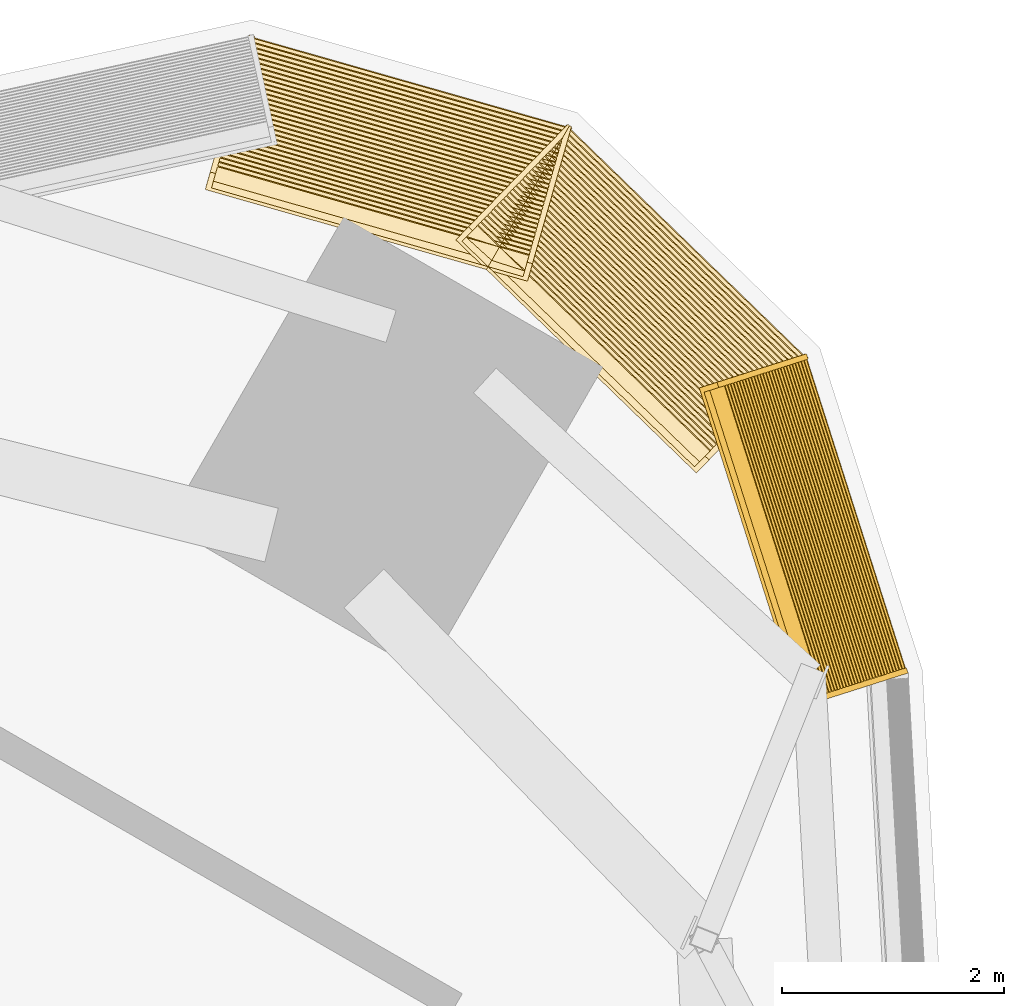
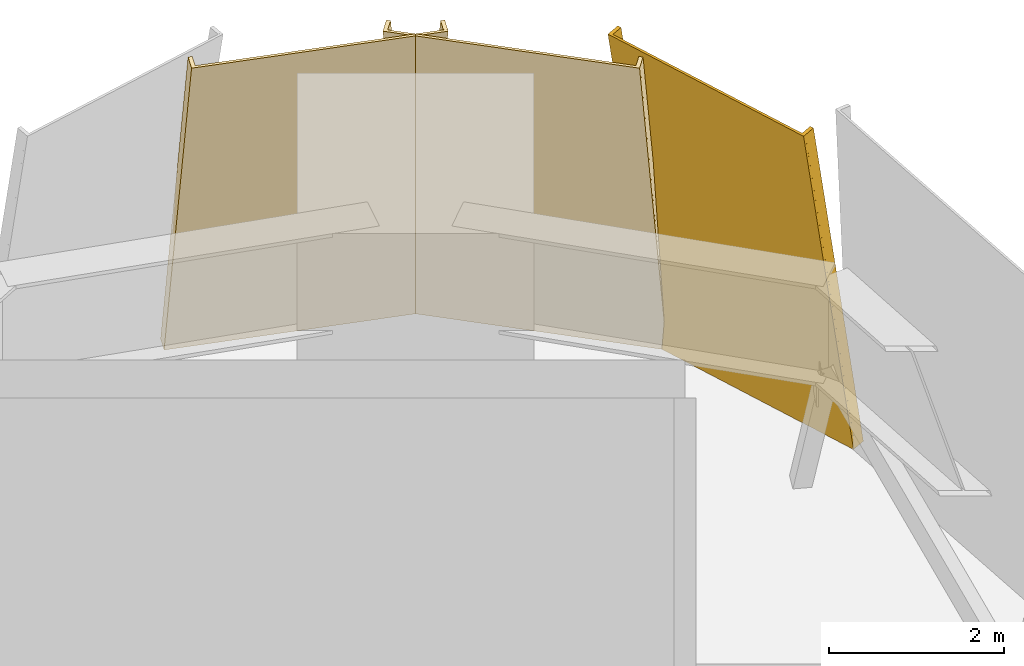
# One storey, part 18 of 18: 3 coverings.
"""IFC4 building model written with IfcOpenShell, lengths in metres."""

from ifc_helpers import new_model, si_unit, direction, frame, frame_2d, origin, place, context, subcontext, project, spatial, rectangle, extrude, source, transform, mapped, material, type_object, element, save


model = new_model("IFC4")

# Units and contexts
model_context = context("Model", 3, precision=1e-05, world=origin(), true_north=direction((0.0, 1.0)))
body_context = subcontext(model_context, "Body", "Model", "MODEL_VIEW")
ifc_project = project(units=[si_unit("LENGTHUNIT", "METRE"), si_unit("AREAUNIT", "SQUARE_METRE"), si_unit("VOLUMEUNIT", "CUBIC_METRE"), si_unit("PLANEANGLEUNIT", "RADIAN"), si_unit("MASSUNIT", "GRAM", prefix="KILO")], contexts=[model_context])

# Site, building, storey
site_placement = place(None, origin())
site = spatial("IfcSite", under=ifc_project, at=site_placement, CompositionType="ELEMENT")
building_placement = place(site_placement, origin())
building = spatial("IfcBuilding", under=site, at=building_placement, Name="Tamra Quay Hotel Tower", CompositionType="ELEMENT")
storey_placement = place(building_placement, frame((0.0, 0.0, 211.60009765625)))
storey = spatial("IfcBuildingStorey", under=building, at=storey_placement, Name="L53", CompositionType="ELEMENT", Elevation=211.60009765625)

# Coverings
ifc_material = material(Name="Terracotta louvre panel", Category="masonry")
covering_type_1 = type_object("IfcCoveringType", Name="PLANT LOUVRE H4874", PredefinedType="USERDEFINED", material=ifc_material)
shared_shape_1 = source(origin(), body_context, "Body", "SweptSolid", [
    extrude(rectangle(XDim=3.02001953125, YDim=0.030029296875, at=frame_2d((1.510009765625, 0.01513671875))), frame((-1.510009765625, -0.030029296875, 0.0)), (0.0, 0.0, 1.0), 4.8740234375),
    extrude(rectangle(XDim=0.050048828125, YDim=0.139892578125, at=frame_2d((0.02490234375, 0.06982421875))), frame((-1.510009765625, -0.169921875, 0.0)), (0.0, 0.0, 1.0), 4.8740234375),
    extrude(rectangle(XDim=0.050048828125, YDim=0.139892578125, at=frame_2d((0.02490234375, 0.06982421875))), frame((1.4599609375, -0.169921875, 0.0)), (0.0, 0.0, 1.0), 4.8740234375),
    extrude(rectangle(XDim=2.919921875, YDim=0.139892578125, at=frame_2d((1.4599609375, 0.06982421875))), frame((-1.4599609375, -0.169921875, 0.050048828125)), (0.0, 0.0, 1.0), 0.034912109375),
    extrude(rectangle(XDim=2.919921875, YDim=0.139892578125, at=frame_2d((1.4599609375, 0.06982421875))), frame((-1.4599609375, -0.169921875, 0.2099609375)), (0.0, 0.0, 1.0), 0.034912109375),
    extrude(rectangle(XDim=2.919921875, YDim=0.139892578125, at=frame_2d((1.4599609375, 0.06982421875))), frame((-1.4599609375, -0.169921875, 0.3701171875)), (0.0, 0.0, 1.0), 0.034912109375),
    extrude(rectangle(XDim=2.919921875, YDim=0.139892578125, at=frame_2d((1.4599609375, 0.06982421875))), frame((-1.4599609375, -0.169921875, 0.530029296875)), (0.0, 0.0, 1.0), 0.034912109375),
    extrude(rectangle(XDim=2.919921875, YDim=0.139892578125, at=frame_2d((1.4599609375, 0.06982421875))), frame((-1.4599609375, -0.169921875, 0.68994140625)), (0.0, 0.0, 1.0), 0.034912109375),
    extrude(rectangle(XDim=2.919921875, YDim=0.139892578125, at=frame_2d((1.4599609375, 0.06982421875))), frame((-1.4599609375, -0.169921875, 0.85009765625)), (0.0, 0.0, 1.0), 0.034912109375),
    extrude(rectangle(XDim=2.919921875, YDim=0.139892578125, at=frame_2d((1.4599609375, 0.06982421875))), frame((-1.4599609375, -0.169921875, 1.010009765625)), (0.0, 0.0, 1.0), 0.034912109375),
    extrude(rectangle(XDim=2.919921875, YDim=0.139892578125, at=frame_2d((1.4599609375, 0.06982421875))), frame((-1.4599609375, -0.169921875, 1.169921875)), (0.0, 0.0, 1.0), 0.034912109375),
    extrude(rectangle(XDim=2.919921875, YDim=0.139892578125, at=frame_2d((1.4599609375, 0.06982421875))), frame((-1.4599609375, -0.169921875, 1.330078125)), (0.0, 0.0, 1.0), 0.034912109375),
    extrude(rectangle(XDim=2.919921875, YDim=0.139892578125, at=frame_2d((1.4599609375, 0.06982421875))), frame((-1.4599609375, -0.169921875, 1.489990234375)), (0.0, 0.0, 1.0), 0.034912109375),
    extrude(rectangle(XDim=2.919921875, YDim=0.139892578125, at=frame_2d((1.4599609375, 0.06982421875))), frame((-1.4599609375, -0.169921875, 1.64990234375)), (0.0, 0.0, 1.0), 0.034912109375),
    extrude(rectangle(XDim=2.919921875, YDim=0.139892578125, at=frame_2d((1.4599609375, 0.06982421875))), frame((-1.4599609375, -0.169921875, 1.81005859375)), (0.0, 0.0, 1.0), 0.034912109375),
    extrude(rectangle(XDim=2.919921875, YDim=0.139892578125, at=frame_2d((1.4599609375, 0.06982421875))), frame((-1.4599609375, -0.169921875, 1.969970703125)), (0.0, 0.0, 1.0), 0.034912109375),
    extrude(rectangle(XDim=2.919921875, YDim=0.139892578125, at=frame_2d((1.4599609375, 0.06982421875))), frame((-1.4599609375, -0.169921875, 2.1298828125)), (0.0, 0.0, 1.0), 0.034912109375),
    extrude(rectangle(XDim=2.919921875, YDim=0.139892578125, at=frame_2d((1.4599609375, 0.06982421875))), frame((-1.4599609375, -0.169921875, 2.2900390625)), (0.0, 0.0, 1.0), 0.034912109375),
    extrude(rectangle(XDim=2.919921875, YDim=0.139892578125, at=frame_2d((1.4599609375, 0.06982421875))), frame((-1.4599609375, -0.169921875, 2.449951171875)), (0.0, 0.0, 1.0), 0.034912109375),
    extrude(rectangle(XDim=2.919921875, YDim=0.139892578125, at=frame_2d((1.4599609375, 0.06982421875))), frame((-1.4599609375, -0.169921875, 2.610107421875)), (0.0, 0.0, 1.0), 0.034912109375),
    extrude(rectangle(XDim=2.919921875, YDim=0.139892578125, at=frame_2d((1.4599609375, 0.06982421875))), frame((-1.4599609375, -0.169921875, 2.77001953125)), (0.0, 0.0, 1.0), 0.034912109375),
    extrude(rectangle(XDim=2.919921875, YDim=0.139892578125, at=frame_2d((1.4599609375, 0.06982421875))), frame((-1.4599609375, -0.169921875, 2.929931640625)), (0.0, 0.0, 1.0), 0.034912109375),
    extrude(rectangle(XDim=2.919921875, YDim=0.139892578125, at=frame_2d((1.4599609375, 0.06982421875))), frame((-1.4599609375, -0.169921875, 3.090087890625)), (0.0, 0.0, 1.0), 0.034912109375),
    extrude(rectangle(XDim=2.919921875, YDim=0.139892578125, at=frame_2d((1.4599609375, 0.06982421875))), frame((-1.4599609375, -0.169921875, 3.25)), (0.0, 0.0, 1.0), 0.034912109375),
    extrude(rectangle(XDim=2.919921875, YDim=0.139892578125, at=frame_2d((1.4599609375, 0.06982421875))), frame((-1.4599609375, -0.169921875, 3.409912109375)), (0.0, 0.0, 1.0), 0.034912109375),
    extrude(rectangle(XDim=2.919921875, YDim=0.139892578125, at=frame_2d((1.4599609375, 0.06982421875))), frame((-1.4599609375, -0.169921875, 3.570068359375)), (0.0, 0.0, 1.0), 0.034912109375),
    extrude(rectangle(XDim=2.919921875, YDim=0.139892578125, at=frame_2d((1.4599609375, 0.06982421875))), frame((-1.4599609375, -0.169921875, 3.72998046875)), (0.0, 0.0, 1.0), 0.034912109375),
    extrude(rectangle(XDim=2.919921875, YDim=0.139892578125, at=frame_2d((1.4599609375, 0.06982421875))), frame((-1.4599609375, -0.169921875, 3.889892578125)), (0.0, 0.0, 1.0), 0.034912109375),
    extrude(rectangle(XDim=2.919921875, YDim=0.139892578125, at=frame_2d((1.4599609375, 0.06982421875))), frame((-1.4599609375, -0.169921875, 4.050048828125)), (0.0, 0.0, 1.0), 0.034912109375),
    extrude(rectangle(XDim=2.919921875, YDim=0.139892578125, at=frame_2d((1.4599609375, 0.06982421875))), frame((-1.4599609375, -0.169921875, 4.2099609375)), (0.0, 0.0, 1.0), 0.034912109375),
    extrude(rectangle(XDim=2.919921875, YDim=0.139892578125, at=frame_2d((1.4599609375, 0.06982421875))), frame((-1.4599609375, -0.169921875, 4.3701171875)), (0.0, 0.0, 1.0), 0.034912109375),
    extrude(rectangle(XDim=2.919921875, YDim=0.139892578125, at=frame_2d((1.4599609375, 0.06982421875))), frame((-1.4599609375, -0.169921875, 4.530029296875)), (0.0, 0.0, 1.0), 0.034912109375),
])
covering_placement = place(storey_placement, frame((17.345703125, 22.281005859375, 0.0), z_axis=(-0.165462393571, -0.052686676882, 0.984807753012), x_axis=(-0.303410479682, 0.952859948166, 0.0)))
element("IfcCovering", 1, at=covering_placement, inside=storey, type_object=covering_type_1, Name="Plant louvre L53.E.c00", ObjectType="LOUVER", PredefinedType="USERDEFINED", context=body_context, shape_type="MappedRepresentation", body=[
    mapped(shared_shape_1, transform((0.0, 0.0, 0.0), scale=1.0)),
])
covering_type_2 = type_object("IfcCoveringType", Name="PLANT LOUVRE H4969", PredefinedType="USERDEFINED", material=ifc_material)
shared_shape_2 = source(origin(), body_context, "Body", "SweptSolid", [
    extrude(rectangle(XDim=3.02001953125, YDim=0.030029296875, at=frame_2d((1.510009765625, 0.01513671875))), frame((-1.510009765625, -0.030029296875, 0.0)), (0.0, 0.0, 1.0), 4.968994140625),
    extrude(rectangle(XDim=0.050048828125, YDim=0.139892578125, at=frame_2d((0.02490234375, 0.06982421875))), frame((-1.510009765625, -0.169921875, 0.0)), (0.0, 0.0, 1.0), 4.968994140625),
    extrude(rectangle(XDim=0.050048828125, YDim=0.139892578125, at=frame_2d((0.02490234375, 0.06982421875))), frame((1.4599609375, -0.169921875, 0.0)), (0.0, 0.0, 1.0), 4.968994140625),
    extrude(rectangle(XDim=2.919921875, YDim=0.139892578125, at=frame_2d((1.4599609375, 0.06982421875))), frame((-1.4599609375, -0.169921875, 0.050048828125)), (0.0, 0.0, 1.0), 0.034912109375),
    extrude(rectangle(XDim=2.919921875, YDim=0.139892578125, at=frame_2d((1.4599609375, 0.06982421875))), frame((-1.4599609375, -0.169921875, 0.2099609375)), (0.0, 0.0, 1.0), 0.034912109375),
    extrude(rectangle(XDim=2.919921875, YDim=0.139892578125, at=frame_2d((1.4599609375, 0.06982421875))), frame((-1.4599609375, -0.169921875, 0.3701171875)), (0.0, 0.0, 1.0), 0.034912109375),
    extrude(rectangle(XDim=2.919921875, YDim=0.139892578125, at=frame_2d((1.4599609375, 0.06982421875))), frame((-1.4599609375, -0.169921875, 0.530029296875)), (0.0, 0.0, 1.0), 0.034912109375),
    extrude(rectangle(XDim=2.919921875, YDim=0.139892578125, at=frame_2d((1.4599609375, 0.06982421875))), frame((-1.4599609375, -0.169921875, 0.68994140625)), (0.0, 0.0, 1.0), 0.034912109375),
    extrude(rectangle(XDim=2.919921875, YDim=0.139892578125, at=frame_2d((1.4599609375, 0.06982421875))), frame((-1.4599609375, -0.169921875, 0.85009765625)), (0.0, 0.0, 1.0), 0.034912109375),
    extrude(rectangle(XDim=2.919921875, YDim=0.139892578125, at=frame_2d((1.4599609375, 0.06982421875))), frame((-1.4599609375, -0.169921875, 1.010009765625)), (0.0, 0.0, 1.0), 0.034912109375),
    extrude(rectangle(XDim=2.919921875, YDim=0.139892578125, at=frame_2d((1.4599609375, 0.06982421875))), frame((-1.4599609375, -0.169921875, 1.169921875)), (0.0, 0.0, 1.0), 0.034912109375),
    extrude(rectangle(XDim=2.919921875, YDim=0.139892578125, at=frame_2d((1.4599609375, 0.06982421875))), frame((-1.4599609375, -0.169921875, 1.330078125)), (0.0, 0.0, 1.0), 0.034912109375),
    extrude(rectangle(XDim=2.919921875, YDim=0.139892578125, at=frame_2d((1.4599609375, 0.06982421875))), frame((-1.4599609375, -0.169921875, 1.489990234375)), (0.0, 0.0, 1.0), 0.034912109375),
    extrude(rectangle(XDim=2.919921875, YDim=0.139892578125, at=frame_2d((1.4599609375, 0.06982421875))), frame((-1.4599609375, -0.169921875, 1.64990234375)), (0.0, 0.0, 1.0), 0.034912109375),
    extrude(rectangle(XDim=2.919921875, YDim=0.139892578125, at=frame_2d((1.4599609375, 0.06982421875))), frame((-1.4599609375, -0.169921875, 1.81005859375)), (0.0, 0.0, 1.0), 0.034912109375),
    extrude(rectangle(XDim=2.919921875, YDim=0.139892578125, at=frame_2d((1.4599609375, 0.06982421875))), frame((-1.4599609375, -0.169921875, 1.969970703125)), (0.0, 0.0, 1.0), 0.034912109375),
    extrude(rectangle(XDim=2.919921875, YDim=0.139892578125, at=frame_2d((1.4599609375, 0.06982421875))), frame((-1.4599609375, -0.169921875, 2.1298828125)), (0.0, 0.0, 1.0), 0.034912109375),
    extrude(rectangle(XDim=2.919921875, YDim=0.139892578125, at=frame_2d((1.4599609375, 0.06982421875))), frame((-1.4599609375, -0.169921875, 2.2900390625)), (0.0, 0.0, 1.0), 0.034912109375),
    extrude(rectangle(XDim=2.919921875, YDim=0.139892578125, at=frame_2d((1.4599609375, 0.06982421875))), frame((-1.4599609375, -0.169921875, 2.449951171875)), (0.0, 0.0, 1.0), 0.034912109375),
    extrude(rectangle(XDim=2.919921875, YDim=0.139892578125, at=frame_2d((1.4599609375, 0.06982421875))), frame((-1.4599609375, -0.169921875, 2.610107421875)), (0.0, 0.0, 1.0), 0.034912109375),
    extrude(rectangle(XDim=2.919921875, YDim=0.139892578125, at=frame_2d((1.4599609375, 0.06982421875))), frame((-1.4599609375, -0.169921875, 2.77001953125)), (0.0, 0.0, 1.0), 0.034912109375),
    extrude(rectangle(XDim=2.919921875, YDim=0.139892578125, at=frame_2d((1.4599609375, 0.06982421875))), frame((-1.4599609375, -0.169921875, 2.929931640625)), (0.0, 0.0, 1.0), 0.034912109375),
    extrude(rectangle(XDim=2.919921875, YDim=0.139892578125, at=frame_2d((1.4599609375, 0.06982421875))), frame((-1.4599609375, -0.169921875, 3.090087890625)), (0.0, 0.0, 1.0), 0.034912109375),
    extrude(rectangle(XDim=2.919921875, YDim=0.139892578125, at=frame_2d((1.4599609375, 0.06982421875))), frame((-1.4599609375, -0.169921875, 3.25)), (0.0, 0.0, 1.0), 0.034912109375),
    extrude(rectangle(XDim=2.919921875, YDim=0.139892578125, at=frame_2d((1.4599609375, 0.06982421875))), frame((-1.4599609375, -0.169921875, 3.409912109375)), (0.0, 0.0, 1.0), 0.034912109375),
    extrude(rectangle(XDim=2.919921875, YDim=0.139892578125, at=frame_2d((1.4599609375, 0.06982421875))), frame((-1.4599609375, -0.169921875, 3.570068359375)), (0.0, 0.0, 1.0), 0.034912109375),
    extrude(rectangle(XDim=2.919921875, YDim=0.139892578125, at=frame_2d((1.4599609375, 0.06982421875))), frame((-1.4599609375, -0.169921875, 3.72998046875)), (0.0, 0.0, 1.0), 0.034912109375),
    extrude(rectangle(XDim=2.919921875, YDim=0.139892578125, at=frame_2d((1.4599609375, 0.06982421875))), frame((-1.4599609375, -0.169921875, 3.889892578125)), (0.0, 0.0, 1.0), 0.034912109375),
    extrude(rectangle(XDim=2.919921875, YDim=0.139892578125, at=frame_2d((1.4599609375, 0.06982421875))), frame((-1.4599609375, -0.169921875, 4.050048828125)), (0.0, 0.0, 1.0), 0.034912109375),
    extrude(rectangle(XDim=2.919921875, YDim=0.139892578125, at=frame_2d((1.4599609375, 0.06982421875))), frame((-1.4599609375, -0.169921875, 4.2099609375)), (0.0, 0.0, 1.0), 0.034912109375),
    extrude(rectangle(XDim=2.919921875, YDim=0.139892578125, at=frame_2d((1.4599609375, 0.06982421875))), frame((-1.4599609375, -0.169921875, 4.3701171875)), (0.0, 0.0, 1.0), 0.034912109375),
    extrude(rectangle(XDim=2.919921875, YDim=0.139892578125, at=frame_2d((1.4599609375, 0.06982421875))), frame((-1.4599609375, -0.169921875, 4.530029296875)), (0.0, 0.0, 1.0), 0.034912109375),
    extrude(rectangle(XDim=2.919921875, YDim=0.139892578125, at=frame_2d((1.4599609375, 0.06982421875))), frame((-1.4599609375, -0.169921875, 4.68994140625)), (0.0, 0.0, 1.0), 0.034912109375),
])
for number, where, z_axis, x_axis, name in (
    (2, (15.86572265625, 24.670166015625, 0.0), (-0.18015596564, -0.185825526105, 0.965925826289), (-0.717974699393, 0.696069199888, 0.0), "Plant louvre L53.E.c01"),
    (3, (13.43212890625, 26.0751953125, 0.0), (-0.070851643458, -0.24893240594, 0.965925826289), (-0.961800959591, 0.273749729005, 0.0), "Plant louvre L53.E.c02"),
):
    element("IfcCovering", number, at=place(storey_placement, frame(where, z_axis=z_axis, x_axis=x_axis)), inside=storey, type_object=covering_type_2, Name=name, ObjectType="LOUVER", PredefinedType="USERDEFINED", context=body_context, shape_type="MappedRepresentation", body=[
        mapped(shared_shape_2, transform((0.0, 0.0, 0.0), scale=1.0)),
    ])

save(model, "model.ifc")
